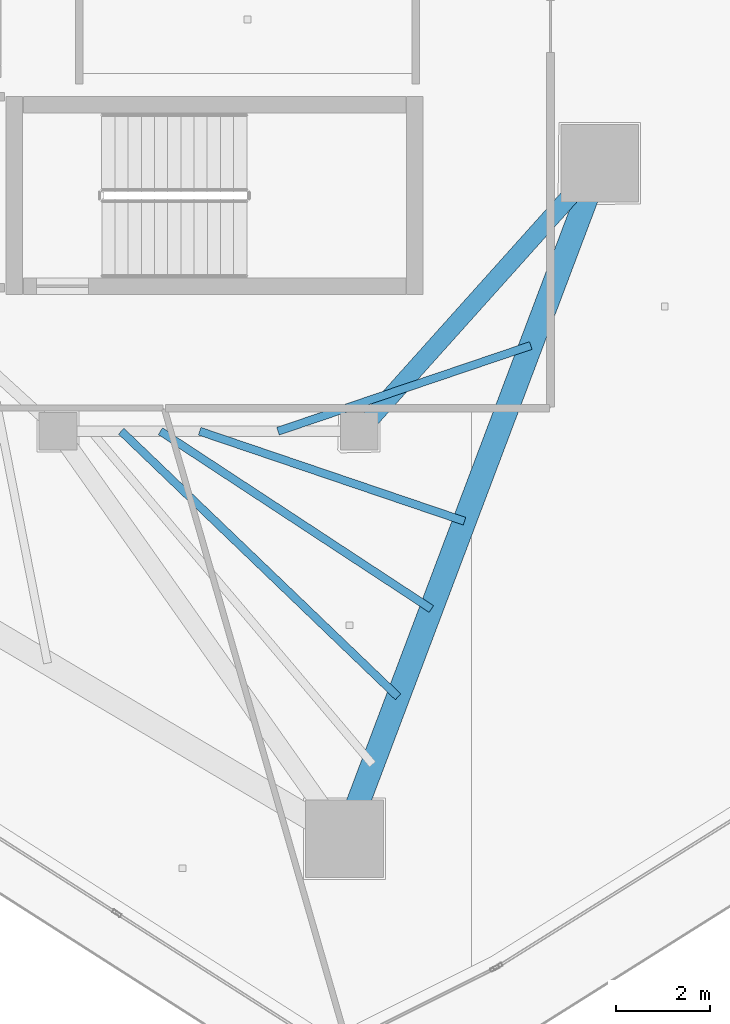
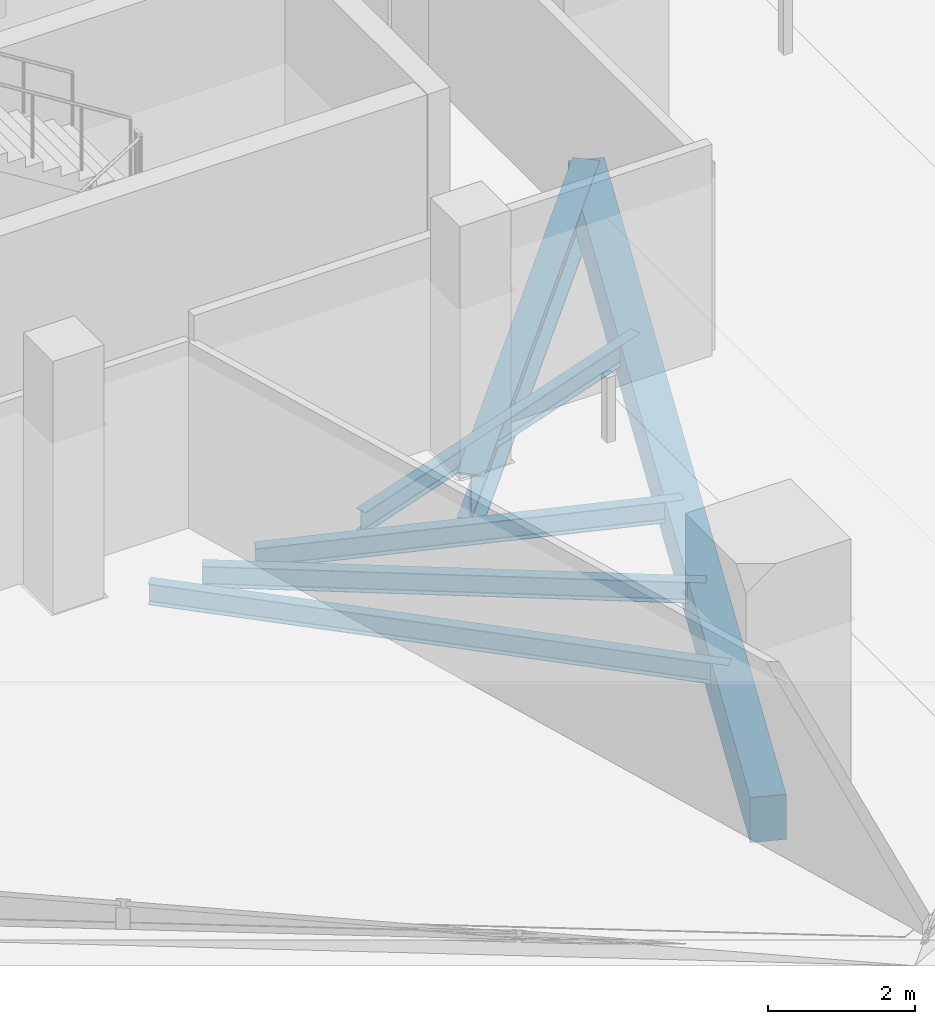
# One storey, part 11 of 31: 6 beams.
"""IFC4 building model written with IfcOpenShell, lengths in metres."""

from ifc_helpers import new_model, si_unit, direction, frame, origin, origin_2d, place, context, subcontext, project, spatial, rectangle, i_section, extrude, material, material_profile, profile_set, type_object, element, save


model = new_model("IFC4")

# Units and contexts
model_context = context("Model", 3, precision=1e-05, world=origin(), true_north=direction((0.0, 1.0)))
body_context = subcontext(model_context, "Body", "Model", "MODEL_VIEW")
ifc_project = project(units=[si_unit("LENGTHUNIT", "METRE"), si_unit("AREAUNIT", "SQUARE_METRE"), si_unit("VOLUMEUNIT", "CUBIC_METRE"), si_unit("PLANEANGLEUNIT", "RADIAN"), si_unit("MASSUNIT", "GRAM", prefix="KILO")], contexts=[model_context])

# Site, building, storey
site_placement = place(None, origin())
site = spatial("IfcSite", under=ifc_project, at=site_placement, CompositionType="ELEMENT")
building_placement = place(site_placement, origin())
building = spatial("IfcBuilding", under=site, at=building_placement, Name="Qorvath Tower", CompositionType="ELEMENT")
storey_placement = place(building_placement, frame((0.0, 0.0, 264.0)))
storey = spatial("IfcBuildingStorey", under=building, at=storey_placement, Name="L61", CompositionType="ELEMENT", Elevation=264.0)

# Beams
ifc_material_1 = material(Name="Steel ASTM A992 Grade 50", Category="steel")
ifc_material_profile_1 = material_profile(ifc_material_1, i_section(OverallWidth=0.381103515625, OverallDepth=0.77294921875, WebThickness=0.0166015625, FlangeThickness=0.027099609375, FilletRadius=0.01904296875, at=origin_2d()), Name="W30x173")
ifc_profile_set_1 = profile_set([ifc_material_profile_1], Name="Steel ASTM A992 Grade 50")
beam_type_1 = type_object("IfcBeamType", Name="BM-FG3", PredefinedType="BEAM", material=ifc_profile_set_1)
beam_1_placement = place(storey_placement, frame((-17.199951171875, -11.449951171875, -0.676513671875), z_axis=(0.667543184261, 0.744571082669, 0.0), x_axis=(-0.744571082669, 0.667543184261, 0.0)))
element("IfcBeam", 1, at=beam_1_placement, inside=storey, type_object=beam_type_1, Name="Radial Floor Girder CC3-MC4 L61", PredefinedType="BEAM", context=body_context, shape_type="SweptSolid", body=[
    extrude(i_section(OverallWidth=0.381103515625, OverallDepth=0.77294921875, WebThickness=0.0166015625, FlangeThickness=0.027099609375, FilletRadius=0.01904296875, at=origin_2d()), origin(), (0.0, 0.0, 1.0), 7.644775390625),
])
ifc_material_2 = material(Name="Steel ASTM A992 Grade 50", Category="steel")
ifc_material_profile_2 = material_profile(ifc_material_2, i_section(OverallWidth=0.1708984375, OverallDepth=0.35107421875, WebThickness=0.0068359375, FlangeThickness=0.009765625, FilletRadius=0.010009765625, at=origin_2d()), Name="W14x30")
ifc_profile_set_2 = profile_set([ifc_material_profile_2], Name="Steel ASTM A992 Grade 50")
beam_type_2 = type_object("IfcBeamType", Name="BM-FJ4", PredefinedType="JOIST", material=ifc_profile_set_2)
beam_2_placement = place(storey_placement, frame((-18.927978515625, -11.449951171875, -0.465576171875), z_axis=(0.947086298547, 0.32097903842, 0.0), x_axis=(-0.32097903842, 0.947086298547, 0.0)))
element("IfcBeam", 2, at=beam_2_placement, inside=storey, type_object=beam_type_2, Name="Composite Floor Joist SE2 L61", PredefinedType="JOIST", context=body_context, shape_type="SweptSolid", body=[
    extrude(i_section(OverallWidth=0.1708984375, OverallDepth=0.35107421875, WebThickness=0.0068359375, FlangeThickness=0.009765625, FilletRadius=0.010009765625, at=origin_2d()), origin(), (0.0, 0.0, 1.0), 5.66796875),
])
beam_3_placement = place(storey_placement, frame((-20.592041015625, -11.449951171875, -0.465576171875), z_axis=(0.946863164885, -0.321636669216, 0.0), x_axis=(0.321636669216, 0.946863164885, 0.0)))
element("IfcBeam", 3, at=beam_3_placement, inside=storey, type_object=beam_type_2, Name="Composite Floor Joist SE4 L61", PredefinedType="JOIST", context=body_context, shape_type="SweptSolid", body=[
    extrude(i_section(OverallWidth=0.1708984375, OverallDepth=0.35107421875, WebThickness=0.0068359375, FlangeThickness=0.009765625, FilletRadius=0.010009765625, at=origin_2d()), origin(), (0.0, 0.0, 1.0), 5.93896484375),
])
beam_4_placement = place(storey_placement, frame((-21.424072265625, -11.449951171875, -0.465576171875), z_axis=(0.835992964387, -0.548740160272, 0.0), x_axis=(0.548740160272, 0.835992964387, 0.0)))
element("IfcBeam", 4, at=beam_4_placement, inside=storey, type_object=beam_type_2, Name="Composite Floor Joist SE5 L61", PredefinedType="JOIST", context=body_context, shape_type="SweptSolid", body=[
    extrude(i_section(OverallWidth=0.1708984375, OverallDepth=0.35107421875, WebThickness=0.0068359375, FlangeThickness=0.009765625, FilletRadius=0.010009765625, at=origin_2d()), origin(), (0.0, 0.0, 1.0), 6.879150390625),
])
beam_5_placement = place(storey_placement, frame((-22.256103515625, -11.449951171875, -0.465576171875), z_axis=(0.721625044611, -0.692284114356, 0.0), x_axis=(0.692284114356, 0.721625044611, 0.0)))
element("IfcBeam", 5, at=beam_5_placement, inside=storey, type_object=beam_type_2, Name="Composite Floor Joist SE6 L61", PredefinedType="JOIST", context=body_context, shape_type="SweptSolid", body=[
    extrude(i_section(OverallWidth=0.1708984375, OverallDepth=0.35107421875, WebThickness=0.0068359375, FlangeThickness=0.009765625, FilletRadius=0.010009765625, at=origin_2d()), origin(), (0.0, 0.0, 1.0), 8.14599609375),
])
ifc_material_3 = material(Name="Concrete C45/55", Category="concrete")
ifc_material_profile_3 = material_profile(ifc_material_3, rectangle(XDim=0.5, YDim=0.75, at=origin_2d()), Name="RCB 750x500")
ifc_profile_set_3 = profile_set([ifc_material_profile_3], Name="Concrete C45/55")
beam_type_3 = type_object("IfcBeamType", Name="BM-RCB3", PredefinedType="SPANDREL", material=ifc_profile_set_3)
beam_6_placement = place(storey_placement, frame((-17.515380859375, -20.1015625, -0.6650390625), z_axis=(0.353397781952, 0.935473146441, 0.0), x_axis=(-0.935473146441, 0.353397781952, 0.0)))
element("IfcBeam", 6, at=beam_6_placement, inside=storey, type_object=beam_type_3, Name="Perimeter Loggia Frame Beam MC3-MC4 L61", PredefinedType="SPANDREL", context=body_context, shape_type="SweptSolid", body=[
    extrude(rectangle(XDim=0.5, YDim=0.75, at=origin_2d()), origin(), (0.0, 0.0, 1.0), 15.333251953125),
])

save(model, "model.ifc")
